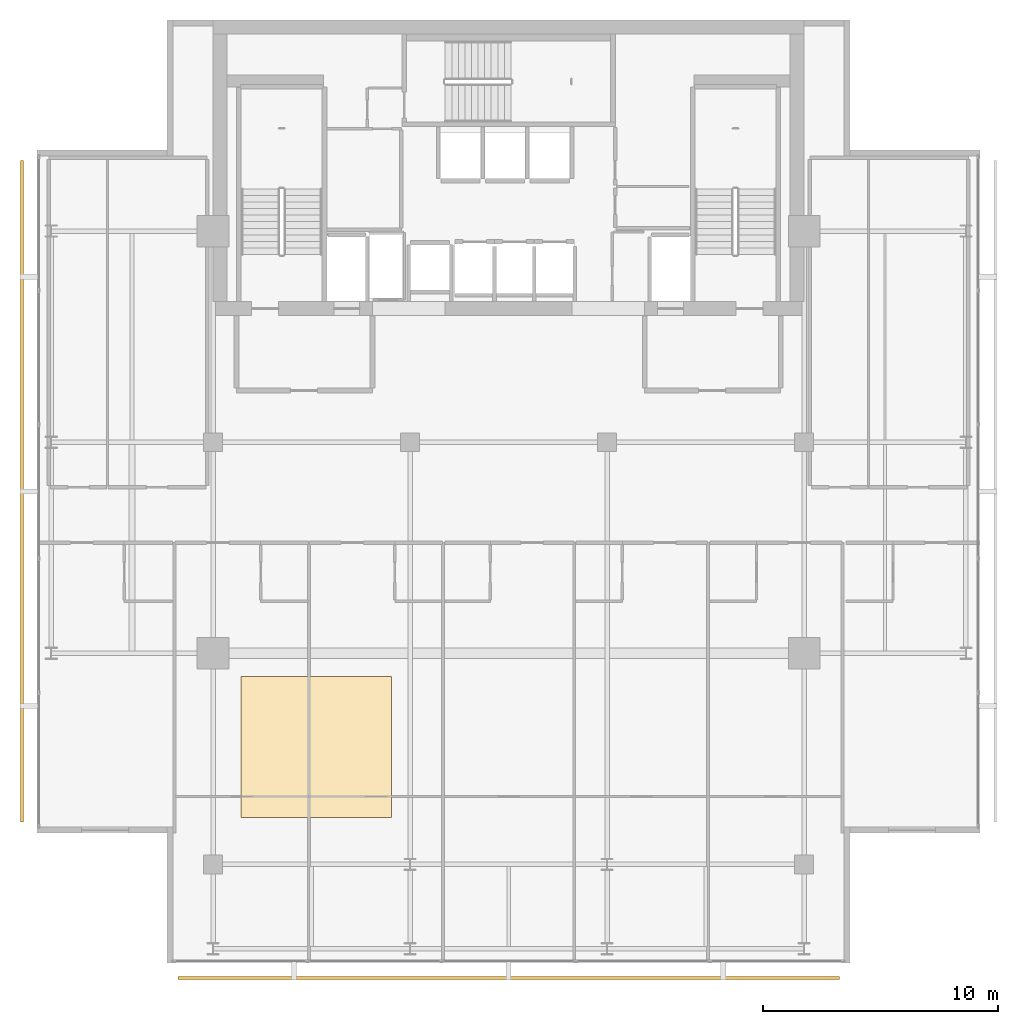
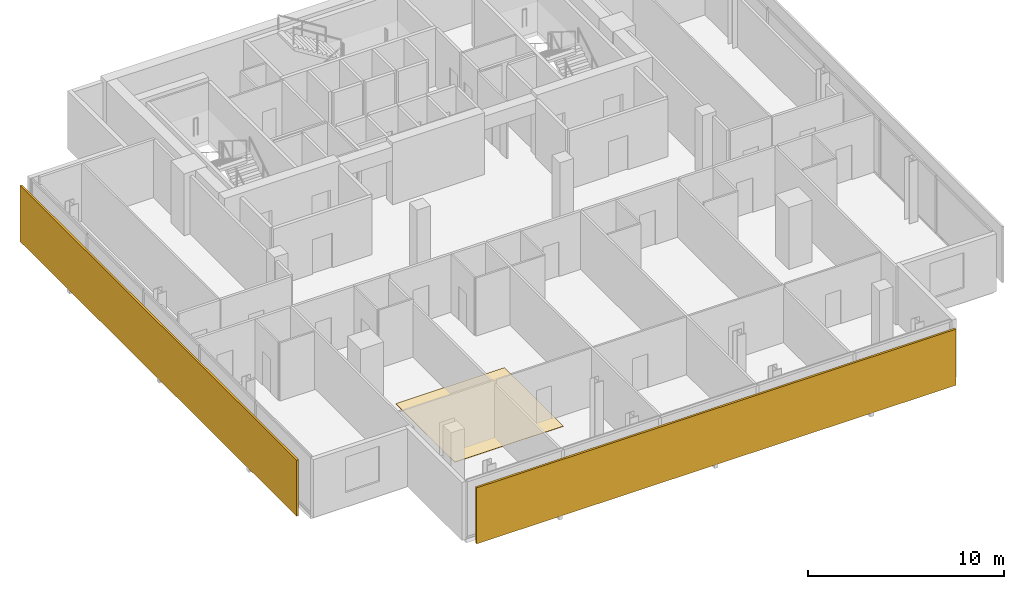
# One storey, part 21 of 24: 2 shading devices, 1 covering.
"""IFC4 building model written with IfcOpenShell, lengths in metres."""

from ifc_helpers import new_model, si_unit, direction, frame, origin, origin_2d, place, context, subcontext, project, spatial, polyline, rectangle, outline, extrude, material, layer, layer_set, type_object, element, save


model = new_model("IFC4")

# Units and contexts
model_context = context("Model", 3, precision=1e-05, world=origin(), true_north=direction((0.0, 1.0)))
body_context = subcontext(model_context, "Body", "Model", "MODEL_VIEW")
ifc_project = project(units=[si_unit("LENGTHUNIT", "METRE"), si_unit("AREAUNIT", "SQUARE_METRE"), si_unit("VOLUMEUNIT", "CUBIC_METRE"), si_unit("PLANEANGLEUNIT", "RADIAN"), si_unit("MASSUNIT", "GRAM", prefix="KILO")], contexts=[model_context])

# Site, building, storey
site_placement = place(None, origin())
site = spatial("IfcSite", under=ifc_project, at=site_placement, CompositionType="ELEMENT")
building_placement = place(site_placement, origin())
building = spatial("IfcBuilding", under=site, at=building_placement, Name="Maruvema Waterfront Hotel and Observation Tower", CompositionType="ELEMENT")
storey_placement = place(building_placement, frame((0.0, 0.0, 333.550048828125)))
storey = spatial("IfcBuildingStorey", under=building, at=storey_placement, Name="L82", CompositionType="ELEMENT", Elevation=333.550048828125)

# Covering
ifc_material_1 = material(Name="Engineered Brazilian freijo hardwood", Category="wood")
ifc_layer_1 = layer(ifc_material_1, 0.02197265625, Name="Engineered Brazilian Freijo Timber Suite Flooring 22 mm")
ifc_layer_set_1 = layer_set([ifc_layer_1], Name="Engineered Brazilian freijo hardwood")
covering_type = type_object("IfcCoveringType", Name="Engineered Brazilian Freijo Timber Suite Flooring 22 mm", PredefinedType="FLOORING", material=ifc_layer_set_1)
covering_placement = place(storey_placement, origin())
element("IfcCovering", 1, at=covering_placement, inside=storey, type_object=covering_type, Name="L82 Sky Suite Freijo Timber Flooring", PredefinedType="FLOORING", context=body_context, shape_type="SweptSolid", body=[
    extrude(outline(polyline([(26.39990234375, 20.0), (32.800048828125, 20.0), (32.800048828125, 26.0), (26.39990234375, 26.0), (26.39990234375, 20.0)])), origin(), (0.0, 0.0, 1.0), 0.02197265625),
])

# Shading devices
ifc_material_2 = material(Name="Honed travertine stone and anodised architectural bronze", Category="masonry")
ifc_layer_2 = layer(ifc_material_2, 0.1201171875, Name="Ventilated Outer Skin Cobogo Stone-and-Bronze Screen 120 mm")
ifc_layer_set_2 = layer_set([ifc_layer_2], Name="Honed travertine stone and anodised architectural bronze")
shading_device_type = type_object("IfcShadingDeviceType", Name="Ventilated Outer Skin Cobogo Stone-and-Bronze Screen 120 mm", PredefinedType="USERDEFINED", material=ifc_layer_set_2)
for number, where, z_axis, x_axis, name in (
    (2, (37.800048828125, 13.14990234375, 0.06005859375), (0.0, 0.0, 1.0), (1.0, 0.0, 0.0), "L82 Ventilated Double-Skin Outer Cobogo Screen OS-L82-S"),
    (3, (17.050048828125, 33.89990234375, 0.06005859375), (0.0, 0.0, 1.0), (0.0, -1.0, 0.0), "L82 Ventilated Double-Skin Outer Cobogo Screen OS-L82-W"),
):
    element("IfcShadingDevice", number, at=place(storey_placement, frame(where, z_axis=z_axis, x_axis=x_axis)), inside=storey, type_object=shading_device_type, Name=name, ObjectType="OUTER SKIN SCREEN", PredefinedType="USERDEFINED", context=body_context, shape_type="SweptSolid", body=[
        extrude(rectangle(XDim=28.199951171875, YDim=0.1201171875, at=origin_2d()), origin(), (0.0, 0.0, 1.0), 3.489990234375),
    ])

save(model, "model.ifc")
